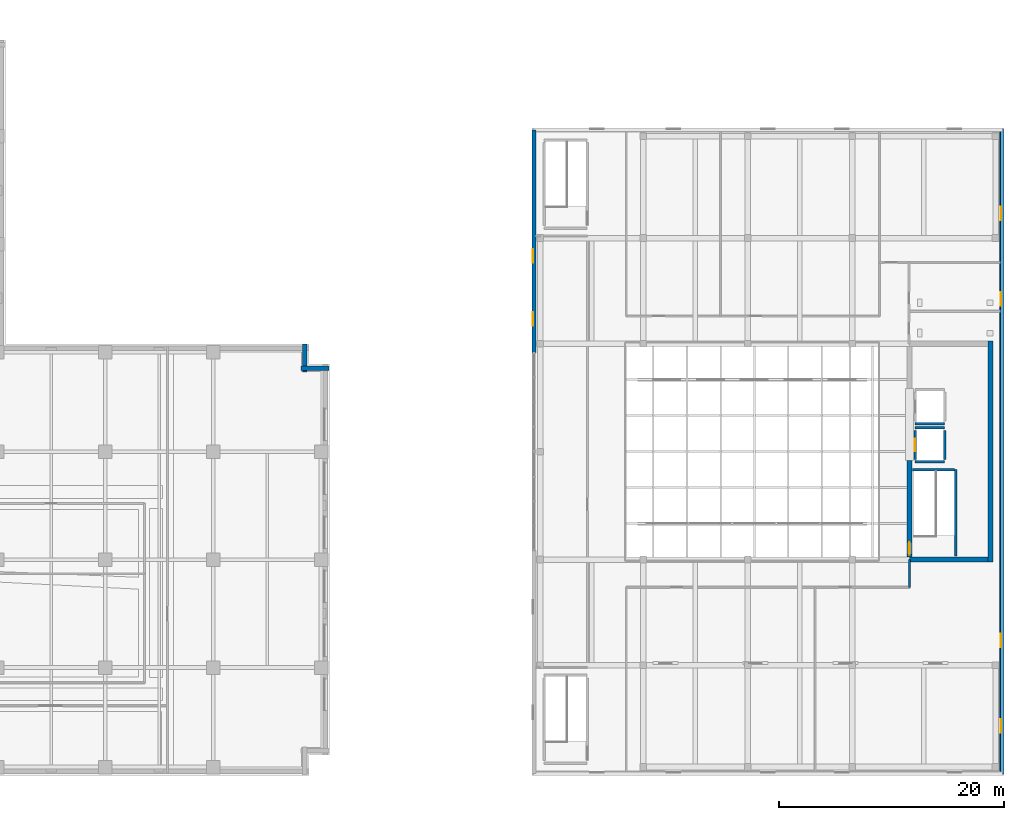
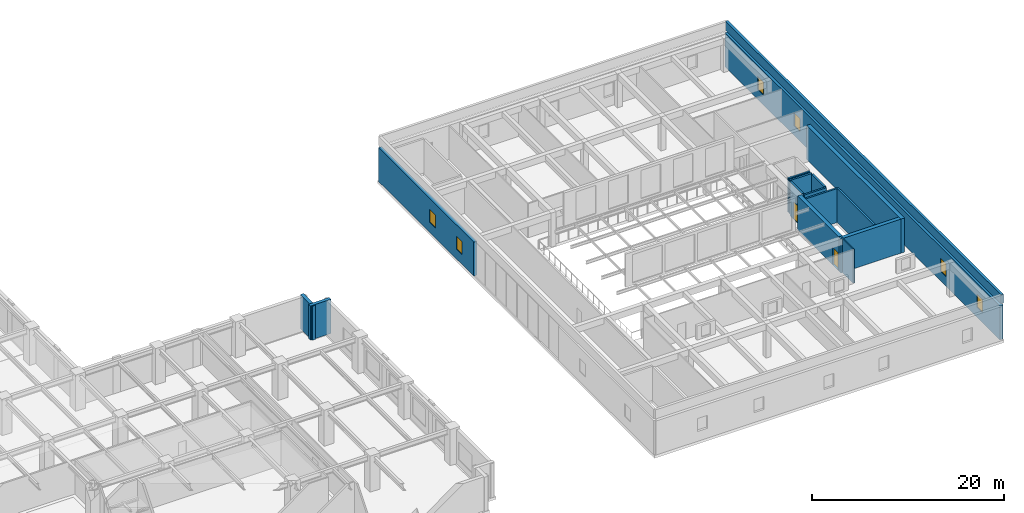
# One storey, part 10 of 21: 16 walls, 6 windows, 2 doors, 8 openings.
"""IFC4 building model written with IfcOpenShell, lengths in metres."""

import ifcopenshell
import ifcopenshell.guid

model = None  # the IFC model being written
_history = None  # IfcOwnerHistory: only IFC2X3 demands one
_inside = {}  # id of a spatial element -> (the spatial element, [elements in it])
_under = {}  # id of a project, library or spatial element -> (it, [spatial elements below it])
_declared = {}  # id of a project -> (the project, [libraries it declares])
_typed = {}  # id of a type object -> (the type object, [elements of that type])
_made_of = {}  # id of a material, layer set ... -> (it, [elements and type objects made of it])


def new_model(schema):
    """Start an empty IFC model of exactly this schema.

    Asked for "IFC4X3", IfcOpenShell would pick the latest addendum, in which some entities
    have other attributes; the version numbers below select the first issue.
    IFC2X3 requires an IfcOwnerHistory on every rooted entity: one is made here for all.
    """
    global model, _history
    if schema == "IFC4X3":
        model = ifcopenshell.file(schema_version=(4, 3, 0, 0))
    else:
        model = ifcopenshell.file(schema=schema)
    _inside.clear()
    _under.clear()
    _declared.clear()
    _typed.clear()
    _made_of.clear()
    _history = None
    if model.schema == "IFC2X3":
        org = make("IfcOrganization", Name="unknown")
        user = make(
            "IfcPersonAndOrganization",
            ThePerson=make("IfcPerson", FamilyName="unknown"),
            TheOrganization=org,
        )
        app = make(
            "IfcApplication",
            ApplicationDeveloper=org,
            Version="unknown",
            ApplicationFullName="unknown",
            ApplicationIdentifier="unknown",
        )
        _history = make(
            "IfcOwnerHistory",
            OwningUser=user,
            OwningApplication=app,
            ChangeAction="ADDED",
            CreationDate=0,
        )
    return model


def make(cls, **values):
    """One entity of the class cls with the attributes given. An attribute that is None is left unset."""
    return model.create_entity(
        cls, **{name: value for name, value in values.items() if value is not None}
    )


def rooted(cls, **values):
    """An entity with a GlobalId (a new one), such as an element, a storey or a relation."""
    return make(cls, GlobalId=ifcopenshell.guid.new(), OwnerHistory=_history, **values)


def si_unit(unit_type, name, prefix=None):
    """IfcSIUnit, for example si_unit("LENGTHUNIT", "METRE", prefix="MILLI")."""
    return make("IfcSIUnit", UnitType=unit_type, Prefix=prefix, Name=name)


def assignment(units):
    """IfcUnitAssignment: the units of a project."""
    return None if units is None else make("IfcUnitAssignment", Units=units)


def point(xyz):
    """IfcCartesianPoint."""
    return None if xyz is None else make("IfcCartesianPoint", Coordinates=xyz)


def direction(xyz):
    """IfcDirection."""
    return None if xyz is None else make("IfcDirection", DirectionRatios=xyz)


def frame(location, z_axis=None, x_axis=None):
    """IfcAxis2Placement3D, a coordinate frame: its origin and axes. An axis left out is left unset."""
    return make(
        "IfcAxis2Placement3D",
        Location=point(location),
        Axis=direction(z_axis),
        RefDirection=direction(x_axis),
    )


def frame_2d(location, x_axis=None):
    """IfcAxis2Placement2D, a coordinate frame in the plane: its origin and x axis."""
    return make(
        "IfcAxis2Placement2D", Location=point(location), RefDirection=direction(x_axis)
    )


def origin():
    """The frame at (0, 0, 0) with its axes left unset."""
    return frame((0.0, 0.0, 0.0))


def place(relative_to, where):
    """IfcLocalPlacement: puts the frame where relative to a parent placement (None: the world)."""
    return make(
        "IfcLocalPlacement", PlacementRelTo=relative_to, RelativePlacement=where
    )


def context(
    kind, dimensions, precision=None, world=None, true_north=None, identifier=None
):
    """IfcGeometricRepresentationContext, for example the 3D "Model" context."""
    return make(
        "IfcGeometricRepresentationContext",
        ContextIdentifier=identifier,
        ContextType=kind,
        CoordinateSpaceDimension=dimensions,
        Precision=precision,
        WorldCoordinateSystem=world,
        TrueNorth=true_north,
    )


def subcontext(parent, identifier, kind, view, scale=None):
    """IfcGeometricRepresentationSubContext, for example "Body" below "Model"."""
    return make(
        "IfcGeometricRepresentationSubContext",
        ContextIdentifier=identifier,
        ContextType=kind,
        ParentContext=parent,
        TargetScale=scale,
        TargetView=view,
    )


def project(units=None, contexts=None):
    """IfcProject with its units and contexts."""
    return rooted(
        "IfcProject",
        Name="project",
        RepresentationContexts=contexts,
        UnitsInContext=assignment(units),
    )


def spatial(cls, under=None, at=None, **own):
    """A site, building, storey or space (cls), placed at a placement, below another one or the project."""
    s = rooted(cls, ObjectPlacement=at, **own)
    if under is not None:
        _under.setdefault(under.id(), (under, []))[1].append(s)
    return s


def profile(cls, at=None, kind="AREA", **sizes):
    """A parametric profile (cls). Its sizes go by their IFC names, for example OverallWidth=200.0."""
    return make(cls, ProfileType=kind, Position=at, **sizes)


def rectangle(**sizes):
    """IfcRectangleProfileDef."""
    return profile("IfcRectangleProfileDef", **sizes)


def extrude(swept, where, along, depth):
    """IfcExtrudedAreaSolid: the profile swept, set in the frame where, extruded along a direction by depth."""
    return make(
        "IfcExtrudedAreaSolid",
        SweptArea=swept,
        Position=where,
        ExtrudedDirection=direction(along),
        Depth=depth,
    )


def shape(context_of_items, identifier, shape_type, items):
    """IfcShapeRepresentation: the items that make up one representation, for example the "Body"."""
    return make(
        "IfcShapeRepresentation",
        ContextOfItems=context_of_items,
        RepresentationIdentifier=identifier,
        RepresentationType=shape_type,
        Items=items,
    )


def material(Name=None, Category=None):
    """IfcMaterial."""
    return make("IfcMaterial", Name=Name, Category=Category)


def layer(
    of_material, thickness, ventilated=None, Name=None, Category=None, Priority=None
):
    """IfcMaterialLayer: one layer of a wall or slab, of a material (None: an air gap)."""
    return make(
        "IfcMaterialLayer",
        Material=of_material,
        LayerThickness=thickness,
        IsVentilated=ventilated,
        Name=Name,
        Category=Category,
        Priority=Priority,
    )


def layer_set(layers, Name=None):
    """IfcMaterialLayerSet."""
    return make("IfcMaterialLayerSet", MaterialLayers=layers, LayerSetName=Name)


def made_of(thing, what):
    """Note that an element or type object is made of a material, layer set ...; save() writes the relation."""
    if what is not None:
        _made_of.setdefault(what.id(), (what, []))[1].append(thing)
    return thing


def type_object(cls, material=None, **own):
    """A type object (cls), such as IfcWallType, which elements share."""
    return made_of(rooted(cls, **own), material)


def element(
    cls,
    number,
    at=None,
    inside=None,
    cuts=None,
    type_object=None,
    material=None,
    context=None,
    identifier="Body",
    shape_type=None,
    held_by="IfcProductDefinitionShape",
    body=None,
    shapes=None,
    **own,
):
    """One element of the class cls, such as IfcWall. Its Tag is "e" and its number.

    at: its placement. inside: the storey or other place that contains it. cuts: it is an
    opening in that element (IfcRelVoidsElement). A single representation is given by context,
    identifier, shape_type and body (its items); several are given by shapes. held_by: the class
    of the entity that holds the representations. save() writes the other relations.
    """
    e = rooted(cls, Tag="e%d" % number, ObjectPlacement=at, **own)
    if body is not None:
        shapes = [shape(context, identifier, shape_type, body)]
    if shapes is not None:
        e.Representation = make(held_by, Representations=shapes)
    if inside is not None:
        _inside.setdefault(inside.id(), (inside, []))[1].append(e)
    if cuts is not None:
        rooted(
            "IfcRelVoidsElement", RelatingBuildingElement=cuts, RelatedOpeningElement=e
        )
    if type_object is not None:
        _typed.setdefault(type_object.id(), (type_object, []))[1].append(e)
    return made_of(e, material)


def fill(opening, filler):
    """IfcRelFillsElement: the door or window that sits in an opening."""
    return rooted(
        "IfcRelFillsElement",
        RelatingOpeningElement=opening,
        RelatedBuildingElement=filler,
    )


def aggregate(whole, parts):
    """IfcRelAggregates: a whole, such as a stair, and the parts it consists of."""
    return rooted("IfcRelAggregates", RelatingObject=whole, RelatedObjects=parts)


def save(model, path):
    """Write the relations noted so far, then the file.

    IfcRelAggregates (storeys below a building ...), IfcRelContainedInSpatialStructure (elements
    in a storey), IfcRelDefinesByType, IfcRelAssociatesMaterial and IfcRelDeclares: one each for
    every whole, place, type object, material and project.
    """
    for whole, parts in _under.values():
        aggregate(whole, parts)
    for where, things in _inside.values():
        rooted(
            "IfcRelContainedInSpatialStructure",
            RelatedElements=things,
            RelatingStructure=where,
        )
    for kind, things in _typed.values():
        rooted("IfcRelDefinesByType", RelatedObjects=things, RelatingType=kind)
    for what, things in _made_of.values():
        rooted("IfcRelAssociatesMaterial", RelatedObjects=things, RelatingMaterial=what)
    for by, libraries in _declared.values():
        rooted("IfcRelDeclares", RelatingContext=by, RelatedDefinitions=libraries)
    model.write(path)


model = new_model("IFC4")

# Units and contexts
model_context = context("Model", 3, precision=1e-05, world=origin(), true_north=direction((0.0, 1.0)))
body_context = subcontext(model_context, "Body", "Model", "MODEL_VIEW")
ifc_project = project(units=[si_unit("LENGTHUNIT", "METRE"), si_unit("AREAUNIT", "SQUARE_METRE"), si_unit("VOLUMEUNIT", "CUBIC_METRE"), si_unit("PLANEANGLEUNIT", "RADIAN"), si_unit("MASSUNIT", "GRAM", prefix="KILO")], contexts=[model_context])

# Site, building, storey
site_placement = place(None, origin())
site = spatial("IfcSite", under=ifc_project, at=site_placement, CompositionType="ELEMENT")
building_placement = place(site_placement, origin())
building = spatial("IfcBuilding", under=site, at=building_placement, Name="Norrvale University Quadrangle", CompositionType="ELEMENT")
storey_placement = place(building_placement, frame((0.0, 0.0, 19.60009765625)))
storey = spatial("IfcBuildingStorey", under=building, at=storey_placement, Name="L04", CompositionType="ELEMENT", Elevation=19.60009765625)

# Wall
ifc_material_1 = material(Name="Fire-Rated Gypsum Stud Partition")
ifc_layer_1 = layer(ifc_material_1, 0.14990234375, Name="Fire-Rated Gypsum Stud Partition")
ifc_layer_set_1 = layer_set([ifc_layer_1], Name="Fire-Rated Gypsum Stud Partition")
wall_type_1 = type_object("IfcWallType", Name="Wall Gypsum Corridor 150", PredefinedType="PARTITIONING", material=ifc_layer_set_1)
wall_1_placement = place(storey_placement, frame((118.800048828125, 16.739990234375, 0.0), z_axis=(0.0, 0.0, 1.0), x_axis=(0.0, 1.0, 0.0)))
element("IfcWall", 1, at=wall_1_placement, inside=storey, type_object=wall_type_1, Name="Interior Partition WL-L04-LSS-E", PredefinedType="PARTITIONING", context=body_context, shape_type="SweptSolid", body=[
    extrude(rectangle(XDim=2.4599609375, YDim=0.14990234375, at=frame_2d((1.22998046875, 0.0))), origin(), (0.0, 0.0, 1.0), 4.31982421875),
])

# Wall, openings, windows
ifc_material_2 = material(Name="Buff Norman Clay Brick Masonry", Category="masonry")
ifc_layer_2 = layer(ifc_material_2, 0.3798828125, Name="Buff Norman Clay Brick Masonry")
ifc_layer_set_2 = layer_set([ifc_layer_2], Name="Buff Norman Clay Brick Masonry")
wall_type_2 = type_object("IfcWallType", Name="Wall Lib Brick 380", PredefinedType="SOLIDWALL", material=ifc_layer_set_2)
wall_2_placement = place(storey_placement, frame((127.010009765625, 0.18994140625, 0.0), z_axis=(0.0, 0.0, 1.0), x_axis=(0.0, 1.0, 0.0)))
wall_2 = element("IfcWall", 2, at=wall_2_placement, inside=storey, type_object=wall_type_2, Name="Central Library East Brick Facade L04", PredefinedType="SOLIDWALL", context=body_context, shape_type="SweptSolid", body=[
    extrude(rectangle(XDim=57.219970703125, YDim=0.3798828125, at=frame_2d((28.60986328125, 0.0))), origin(), (0.0, 0.0, 1.0), 4.31982421875),
])
opening_1_placement = place(wall_2_placement, frame((3.60009765625, 0.0, 1.25)))
opening_1 = element("IfcOpeningElement", 3, at=opening_1_placement, cuts=wall_2, Name="Opening W07", PredefinedType="OPENING", context=body_context, shape_type="SweptSolid", body=[
    extrude(rectangle(XDim=1.199951171875, YDim=1.64990234375, at=frame_2d((0.60009765625, 0.824951171875))), frame((0.0, 0.201904296875, 0.0), z_axis=(0.0, -1.0, 0.0), x_axis=(1.0, 0.0, 0.0)), (0.0, 0.0, 1.0), 0.40380859375),
])
opening_2_placement = place(wall_2_placement, frame((11.199951171875, 0.0, 1.25)))
opening_2 = element("IfcOpeningElement", 4, at=opening_2_placement, cuts=wall_2, Name="Opening W07", PredefinedType="OPENING", context=body_context, shape_type="SweptSolid", body=[
    extrude(rectangle(XDim=1.199951171875, YDim=1.64990234375, at=frame_2d((0.60009765625, 0.824951171875))), frame((0.0, 0.201904296875, 0.0), z_axis=(0.0, -1.0, 0.0), x_axis=(1.0, 0.0, 0.0)), (0.0, 0.0, 1.0), 0.40380859375),
])
opening_3_placement = place(wall_2_placement, frame((41.60009765625, 0.0, 1.25)))
opening_3 = element("IfcOpeningElement", 5, at=opening_3_placement, cuts=wall_2, Name="Opening W07", PredefinedType="OPENING", context=body_context, shape_type="SweptSolid", body=[
    extrude(rectangle(XDim=1.199951171875, YDim=1.64990234375, at=frame_2d((0.60009765625, 0.824951171875))), frame((0.0, 0.201904296875, 0.0), z_axis=(0.0, -1.0, 0.0), x_axis=(1.0, 0.0, 0.0)), (0.0, 0.0, 1.0), 0.40380859375),
])
opening_4_placement = place(wall_2_placement, frame((49.199951171875, 0.0, 1.25)))
opening_4 = element("IfcOpeningElement", 6, at=opening_4_placement, cuts=wall_2, Name="Opening W07", PredefinedType="OPENING", context=body_context, shape_type="SweptSolid", body=[
    extrude(rectangle(XDim=1.199951171875, YDim=1.64990234375, at=frame_2d((0.60009765625, 0.824951171875))), frame((0.0, 0.201904296875, 0.0), z_axis=(0.0, -1.0, 0.0), x_axis=(1.0, 0.0, 0.0)), (0.0, 0.0, 1.0), 0.40380859375),
])
ifc_material_3 = material(Name="UV-Filtered Triple Glazing", Category="glass")
window_type = type_object("IfcWindowType", Name="Window Library Stack 1200x1800", PartitioningType="SINGLE_PANEL", PredefinedType="WINDOW", material=ifc_material_3)
window_1_placement = place(opening_1_placement, origin())
window_1 = element("IfcWindow", 7, at=window_1_placement, inside=storey, type_object=window_type, Name="Window Library Stack 1200x1800 WIN-L04-LE-01", OverallHeight=1.64990234375, OverallWidth=1.199951171875, PartitioningType="SINGLE_PANEL", PredefinedType="WINDOW", context=body_context, shape_type="SweptSolid", body=[
    extrude(rectangle(XDim=1.199951171875, YDim=1.64990234375, at=frame_2d((0.60009765625, 0.824951171875))), frame((0.0, 0.110107421875, 0.0), z_axis=(0.0, -1.0, 0.0), x_axis=(1.0, 0.0, 0.0)), (0.0, 0.0, 1.0), 0.06005859375),
])
fill(opening_1, window_1)
window_2_placement = place(opening_2_placement, origin())
window_2 = element("IfcWindow", 8, at=window_2_placement, inside=storey, type_object=window_type, Name="Window Library Stack 1200x1800 WIN-L04-LE-02", OverallHeight=1.64990234375, OverallWidth=1.199951171875, PartitioningType="SINGLE_PANEL", PredefinedType="WINDOW", context=body_context, shape_type="SweptSolid", body=[
    extrude(rectangle(XDim=1.199951171875, YDim=1.64990234375, at=frame_2d((0.60009765625, 0.824951171875))), frame((0.0, 0.110107421875, 0.0), z_axis=(0.0, -1.0, 0.0), x_axis=(1.0, 0.0, 0.0)), (0.0, 0.0, 1.0), 0.06005859375),
])
fill(opening_2, window_2)
window_3_placement = place(opening_3_placement, origin())
window_3 = element("IfcWindow", 9, at=window_3_placement, inside=storey, type_object=window_type, Name="Window Library Stack 1200x1800 WIN-L04-LE-03", OverallHeight=1.64990234375, OverallWidth=1.199951171875, PartitioningType="SINGLE_PANEL", PredefinedType="WINDOW", context=body_context, shape_type="SweptSolid", body=[
    extrude(rectangle(XDim=1.199951171875, YDim=1.64990234375, at=frame_2d((0.60009765625, 0.824951171875))), frame((0.0, 0.110107421875, 0.0), z_axis=(0.0, -1.0, 0.0), x_axis=(1.0, 0.0, 0.0)), (0.0, 0.0, 1.0), 0.06005859375),
])
fill(opening_3, window_3)
window_4_placement = place(opening_4_placement, origin())
window_4 = element("IfcWindow", 10, at=window_4_placement, inside=storey, type_object=window_type, Name="Window Library Stack 1200x1800 WIN-L04-LE-04", OverallHeight=1.64990234375, OverallWidth=1.199951171875, PartitioningType="SINGLE_PANEL", PredefinedType="WINDOW", context=body_context, shape_type="SweptSolid", body=[
    extrude(rectangle(XDim=1.199951171875, YDim=1.64990234375, at=frame_2d((0.60009765625, 0.824951171875))), frame((0.0, 0.110107421875, 0.0), z_axis=(0.0, -1.0, 0.0), x_axis=(1.0, 0.0, 0.0)), (0.0, 0.0, 1.0), 0.06005859375),
])
fill(opening_4, window_4)

wall_3_placement = place(storey_placement, frame((85.389892578125, 37.60009765625, 0.0), z_axis=(0.0, 0.0, 1.0), x_axis=(0.0, 1.0, 0.0)))
wall_3 = element("IfcWall", 11, at=wall_3_placement, inside=storey, type_object=wall_type_2, Name="Library West Brick Wall North L04", PredefinedType="SOLIDWALL", context=body_context, shape_type="SweptSolid", body=[
    extrude(rectangle(XDim=19.809814453125, YDim=0.3798828125, at=frame_2d((9.90478515625, 0.0))), origin(), (0.0, 0.0, 1.0), 4.31982421875),
])
opening_5_placement = place(wall_3_placement, frame((2.39990234375, 0.0, 1.25)))
opening_5 = element("IfcOpeningElement", 12, at=opening_5_placement, cuts=wall_3, Name="Opening W07", PredefinedType="OPENING", context=body_context, shape_type="SweptSolid", body=[
    extrude(rectangle(XDim=1.199951171875, YDim=1.64990234375, at=frame_2d((0.60009765625, 0.824951171875))), frame((0.0, 0.201904296875, 0.0), z_axis=(0.0, -1.0, 0.0), x_axis=(1.0, 0.0, 0.0)), (0.0, 0.0, 1.0), 0.40380859375),
])
opening_6_placement = place(wall_3_placement, frame((8.0, 0.0, 1.25)))
opening_6 = element("IfcOpeningElement", 13, at=opening_6_placement, cuts=wall_3, Name="Opening W07", PredefinedType="OPENING", context=body_context, shape_type="SweptSolid", body=[
    extrude(rectangle(XDim=1.199951171875, YDim=1.64990234375, at=frame_2d((0.60009765625, 0.824951171875))), frame((0.0, 0.201904296875, 0.0), z_axis=(0.0, -1.0, 0.0), x_axis=(1.0, 0.0, 0.0)), (0.0, 0.0, 1.0), 0.40380859375),
])
window_5_placement = place(opening_5_placement, origin())
window_5 = element("IfcWindow", 14, at=window_5_placement, inside=storey, type_object=window_type, Name="Window Library Stack 1200x1800 WIN-L04-LW2-1", OverallHeight=1.64990234375, OverallWidth=1.199951171875, PartitioningType="SINGLE_PANEL", PredefinedType="WINDOW", context=body_context, shape_type="SweptSolid", body=[
    extrude(rectangle(XDim=1.199951171875, YDim=1.64990234375, at=frame_2d((0.60009765625, 0.824951171875))), frame((0.0, 0.110107421875, 0.0), z_axis=(0.0, -1.0, 0.0), x_axis=(1.0, 0.0, 0.0)), (0.0, 0.0, 1.0), 0.06005859375),
])
fill(opening_5, window_5)
window_6_placement = place(opening_6_placement, origin())
window_6 = element("IfcWindow", 15, at=window_6_placement, inside=storey, type_object=window_type, Name="Window Library Stack 1200x1800 WIN-L04-LW2-2", OverallHeight=1.64990234375, OverallWidth=1.199951171875, PartitioningType="SINGLE_PANEL", PredefinedType="WINDOW", context=body_context, shape_type="SweptSolid", body=[
    extrude(rectangle(XDim=1.199951171875, YDim=1.64990234375, at=frame_2d((0.60009765625, 0.824951171875))), frame((0.0, 0.110107421875, 0.0), z_axis=(0.0, -1.0, 0.0), x_axis=(1.0, 0.0, 0.0)), (0.0, 0.0, 1.0), 0.06005859375),
])
fill(opening_6, window_6)

# Walls
ifc_material_4 = material(Name="Concrete C60/75", Category="concrete")
ifc_layer_3 = layer(ifc_material_4, 0.449951171875, Name="Concrete C60/75")
ifc_layer_set_3 = layer_set([ifc_layer_3], Name="Concrete C60/75")
wall_type_3 = type_object("IfcWallType", Name="Wall Lib Core 450", PredefinedType="SHEAR", material=ifc_layer_set_3)
wall_4_placement = place(storey_placement, frame((118.574951171875, 19.199951171875, 0.0), z_axis=(0.0, 0.0, 1.0), x_axis=(1.0, 0.0, 0.0)))
element("IfcWall", 16, at=wall_4_placement, inside=storey, type_object=wall_type_3, Name="Library Core Shear Wall L04-S", PredefinedType="SHEAR", context=body_context, shape_type="SweptSolid", body=[
    extrude(rectangle(XDim=7.199951171875, YDim=0.449951171875, at=frame_2d((3.60009765625, 0.0))), origin(), (0.0, 0.0, 1.0), 4.31982421875),
])
wall_5_placement = place(storey_placement, frame((126.0, 18.97509765625, 0.0), z_axis=(0.0, 0.0, 1.0), x_axis=(0.0, 1.0, 0.0)))
element("IfcWall", 17, at=wall_5_placement, inside=storey, type_object=wall_type_3, Name="Library Core Shear Wall L04-E", PredefinedType="SHEAR", context=body_context, shape_type="SweptSolid", body=[
    extrude(rectangle(XDim=19.64990234375, YDim=0.449951171875, at=frame_2d((9.824951171875, 0.0))), origin(), (0.0, 0.0, 1.0), 4.31982421875),
])

# Wall, opening, door
wall_6_placement = place(storey_placement, frame((118.800048828125, 19.425048828125, 0.0), z_axis=(0.0, 0.0, 1.0), x_axis=(0.0, 1.0, 0.0)))
wall_6 = element("IfcWall", 18, at=wall_6_placement, inside=storey, type_object=wall_type_3, Name="Library Core Shear Wall L04-W1", PredefinedType="SHEAR", context=body_context, shape_type="SweptSolid", body=[
    extrude(rectangle(XDim=8.574951171875, YDim=0.449951171875, at=frame_2d((4.28759765625, 0.0))), origin(), (0.0, 0.0, 1.0), 4.31982421875),
])
opening_7_placement = place(wall_6_placement, frame((0.219970703125, 0.0, 0.0)))
opening_7 = element("IfcOpeningElement", 19, at=opening_7_placement, cuts=wall_6, Name="Opening D02", PredefinedType="OPENING", context=body_context, shape_type="SweptSolid", body=[
    extrude(rectangle(XDim=1.10009765625, YDim=2.199951171875, at=frame_2d((0.550048828125, 1.10009765625))), frame((0.0, 0.237060546875, 0.0), z_axis=(0.0, -1.0, 0.0), x_axis=(1.0, 0.0, 0.0)), (0.0, 0.0, 1.0), 0.473876953125),
])
ifc_material_5 = material(Name="Hollow Steel 350W Fire Door", Category="steel")
door_type_1 = type_object("IfcDoorType", Name="Door Stair Exit 1100x2200", OperationType="NOTDEFINED", PredefinedType="DOOR", material=ifc_material_5)
door_1_placement = place(opening_7_placement, frame((1.10009765625, 0.0, 0.0), z_axis=(0.0, 0.0, 1.0), x_axis=(-1.0, 0.0, 0.0)))
door_1 = element("IfcDoor", 20, at=door_1_placement, inside=storey, type_object=door_type_1, Name="Door Stair Exit 1100x2200 DR-L04-STL1", OperationType="SINGLE_SWING_LEFT", OverallHeight=2.199951171875, OverallWidth=1.10009765625, PredefinedType="DOOR", context=body_context, shape_type="SweptSolid", body=[
    extrude(rectangle(XDim=1.10009765625, YDim=2.199951171875, at=frame_2d((0.550048828125, 1.10009765625))), frame((0.0, 0.02490234375, 0.0), z_axis=(0.0, -1.0, 0.0), x_axis=(1.0, 0.0, 0.0)), (0.0, 0.0, 1.0), 0.050048828125),
])
fill(opening_7, door_1)

# Walls
ifc_layer_4 = layer(ifc_material_2, 0.300048828125, Name="Buff Norman Clay Brick Masonry")
ifc_layer_set_4 = layer_set([ifc_layer_4], Name="Buff Norman Clay Brick Masonry")
wall_type_4 = type_object("IfcWallType", Name="Wall Parapet 300", PredefinedType="PARAPET", material=ifc_layer_set_4)
wall_7_placement = place(storey_placement, frame((127.050048828125, 0.14990234375, 4.599853515625), z_axis=(0.0, 0.0, 1.0), x_axis=(0.0, 1.0, 0.0)))
element("IfcWall", 21, at=wall_7_placement, inside=storey, type_object=wall_type_4, Name="Library Roof Parapet E", PredefinedType="PARAPET", context=body_context, shape_type="SweptSolid", body=[
    extrude(rectangle(XDim=57.300048828125, YDim=0.300048828125, at=frame_2d((28.64990234375, 0.0))), origin(), (0.0, 0.0, 1.0), 1.150146484375),
])
ifc_material_6 = material(Name="Red Manganese Brick Masonry", Category="masonry")
ifc_layer_5 = layer(ifc_material_6, 0.39990234375, Name="Red Manganese Brick Masonry")
ifc_layer_set_5 = layer_set([ifc_layer_5], Name="Red Manganese Brick Masonry")
wall_type_5 = type_object("IfcWallType", Name="Wall Red Brick 400", PredefinedType="SOLIDWALL", material=ifc_layer_set_5)
wall_8_placement = place(storey_placement, frame((67.159912109375, 36.219970703125, 0.0), z_axis=(0.0, 0.0, 1.0), x_axis=(-1.0, 0.0, 0.0)))
element("IfcWall", 22, at=wall_8_placement, inside=storey, type_object=wall_type_5, Name="Exterior Brick Facade Wall L04-05.1", PredefinedType="SOLIDWALL", context=body_context, shape_type="SweptSolid", body=[
    extrude(rectangle(XDim=2.47998046875, YDim=0.39990234375, at=frame_2d((1.239990234375, 0.0))), origin(), (0.0, 0.0, 1.0), 4.33984375),
])
wall_9_placement = place(storey_placement, frame((65.02001953125, 35.8798828125, 0.0), z_axis=(0.0, 0.0, 1.0), x_axis=(0.0, 1.0, 0.0)))
element("IfcWall", 23, at=wall_9_placement, inside=storey, type_object=wall_type_5, Name="Exterior Brick Facade Wall L04-06.1", PredefinedType="SOLIDWALL", context=body_context, shape_type="SweptSolid", body=[
    extrude(rectangle(XDim=2.480224609375, YDim=0.39990234375, at=frame_2d((1.240234375, 0.0))), origin(), (0.0, 0.0, 1.0), 4.33984375),
])
ifc_material_7 = material(Name="Concrete Blockwork 20 MPa Fire Shaft", Category="masonry")
ifc_layer_6 = layer(ifc_material_7, 0.219970703125, Name="Concrete Blockwork 20 MPa Fire Shaft")
ifc_layer_set_6 = layer_set([ifc_layer_6], Name="Concrete Blockwork 20 MPa Fire Shaft")
wall_type_6 = type_object("IfcWallType", Name="Wall Shaft 220", PredefinedType="SOLIDWALL", material=ifc_layer_set_6)
wall_10_placement = place(storey_placement, frame((122.909912109375, 19.5, 0.0), z_axis=(0.0, 0.0, 1.0), x_axis=(0.0, 1.0, 0.0)))
element("IfcWall", 24, at=wall_10_placement, inside=storey, type_object=wall_type_6, Name="Library Stair ST-L1 East Wall L04", PredefinedType="SOLIDWALL", context=body_context, shape_type="SweptSolid", body=[
    extrude(rectangle(XDim=7.7099609375, YDim=0.219970703125, at=frame_2d((3.85498046875, 0.0))), origin(), (0.0, 0.0, 1.0), 4.31982421875),
])
wall_11_placement = place(storey_placement, frame((119.050048828125, 27.2099609375, 0.0), z_axis=(0.0, 0.0, 1.0), x_axis=(1.0, 0.0, 0.0)))
element("IfcWall", 25, at=wall_11_placement, inside=storey, type_object=wall_type_6, Name="Library Stair ST-L1 North Wall L04", PredefinedType="SOLIDWALL", context=body_context, shape_type="SweptSolid", body=[
    extrude(rectangle(XDim=3.75, YDim=0.219970703125, at=frame_2d((1.875, 0.0))), origin(), (0.0, 0.0, 1.0), 4.31982421875),
])

# Wall, opening, door
wall_12_placement = place(storey_placement, frame((119.2900390625, 28.110107421875, 0.0), z_axis=(0.0, 0.0, 1.0), x_axis=(0.0, 1.0, 0.0)))
wall_12 = element("IfcWall", 26, at=wall_12_placement, inside=storey, type_object=wall_type_6, Name="Hoistway LL-01 West Wall L04", PredefinedType="SOLIDWALL", context=body_context, shape_type="SweptSolid", body=[
    extrude(rectangle(XDim=2.579833984375, YDim=0.219970703125, at=frame_2d((1.2900390625, 0.0))), origin(), (0.0, 0.0, 1.0), 4.31982421875),
])
opening_8_placement = place(wall_12_placement, frame((0.739990234375, 0.0, 0.0)))
opening_8 = element("IfcOpeningElement", 27, at=opening_8_placement, cuts=wall_12, Name="Opening LD1", PredefinedType="OPENING", context=body_context, shape_type="SweptSolid", body=[
    extrude(rectangle(XDim=1.10009765625, YDim=2.199951171875, at=frame_2d((0.550048828125, 1.10009765625))), frame((0.0, 0.1220703125, 0.0), z_axis=(0.0, -1.0, 0.0), x_axis=(1.0, 0.0, 0.0)), (0.0, 0.0, 1.0), 0.243896484375),
])
ifc_material_8 = material(Name="Stainless Steel 316L Lift Landing Door", Category="steel")
door_type_2 = type_object("IfcDoorType", Name="Door Lift Landing 1100x2200", OperationType="DOUBLE_DOOR_SLIDING", PredefinedType="DOOR", material=ifc_material_8)
door_2_placement = place(opening_8_placement, origin())
door_2 = element("IfcDoor", 28, at=door_2_placement, inside=storey, type_object=door_type_2, Name="Elevator Landing Door DR-L04-LL-01", OperationType="DOUBLE_DOOR_SLIDING", OverallHeight=2.199951171875, OverallWidth=1.10009765625, PredefinedType="DOOR", context=body_context, shape_type="SweptSolid", body=[
    extrude(rectangle(XDim=1.10009765625, YDim=2.199951171875, at=frame_2d((0.550048828125, 1.10009765625))), frame((0.0, 0.02490234375, 0.0), z_axis=(0.0, -1.0, 0.0), x_axis=(1.0, 0.0, 0.0)), (0.0, 0.0, 1.0), 0.050048828125),
])
fill(opening_8, door_2)

# Walls
wall_13_placement = place(storey_placement, frame((121.909912109375, 28.110107421875, 0.0), z_axis=(0.0, 0.0, 1.0), x_axis=(0.0, 1.0, 0.0)))
element("IfcWall", 29, at=wall_13_placement, inside=storey, type_object=wall_type_6, Name="Hoistway LL-01 East Wall L04", PredefinedType="SOLIDWALL", context=body_context, shape_type="SweptSolid", body=[
    extrude(rectangle(XDim=2.579833984375, YDim=0.219970703125, at=frame_2d((1.2900390625, 0.0))), origin(), (0.0, 0.0, 1.0), 4.31982421875),
])
for number, where, z_axis, x_axis, name in (
    (30, (119.2900390625, 27.889892578125, 0.0), (0.0, 0.0, 1.0), (1.0, 0.0, 0.0), "Hoistway LL-01 South Wall L04"),
    (31, (119.2900390625, 30.909912109375, 0.0), (0.0, 0.0, 1.0), (1.0, 0.0, 0.0), "Hoistway LL-01 North Wall L04"),
    (32, (119.2900390625, 31.2900390625, 0.0), (0.0, 0.0, 1.0), (1.0, 0.0, 0.0), "Hoistway LL-02 South Wall L04"),
):
    element("IfcWall", number, at=place(storey_placement, frame(where, z_axis=z_axis, x_axis=x_axis)), inside=storey, type_object=wall_type_6, Name=name, PredefinedType="SOLIDWALL", context=body_context, shape_type="SweptSolid", body=[
        extrude(rectangle(XDim=2.619873046875, YDim=0.219970703125, at=frame_2d((1.31005859375, 0.0))), origin(), (0.0, 0.0, 1.0), 4.31982421875),
    ])

save(model, "model.ifc")
